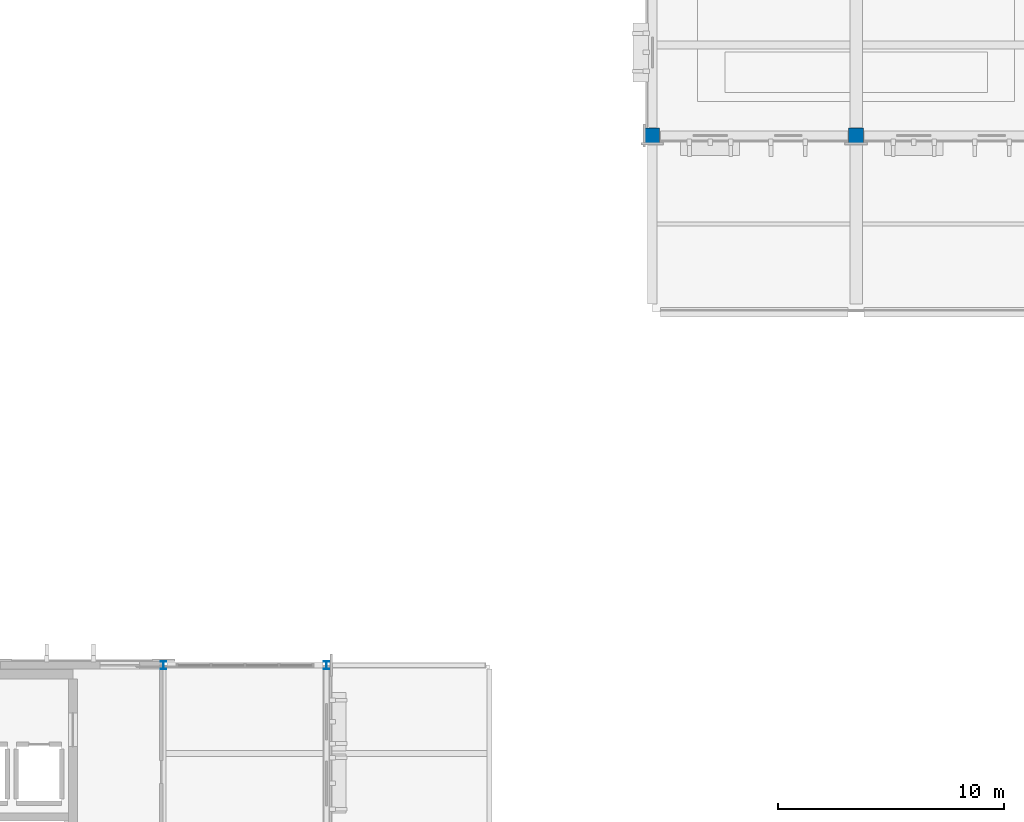
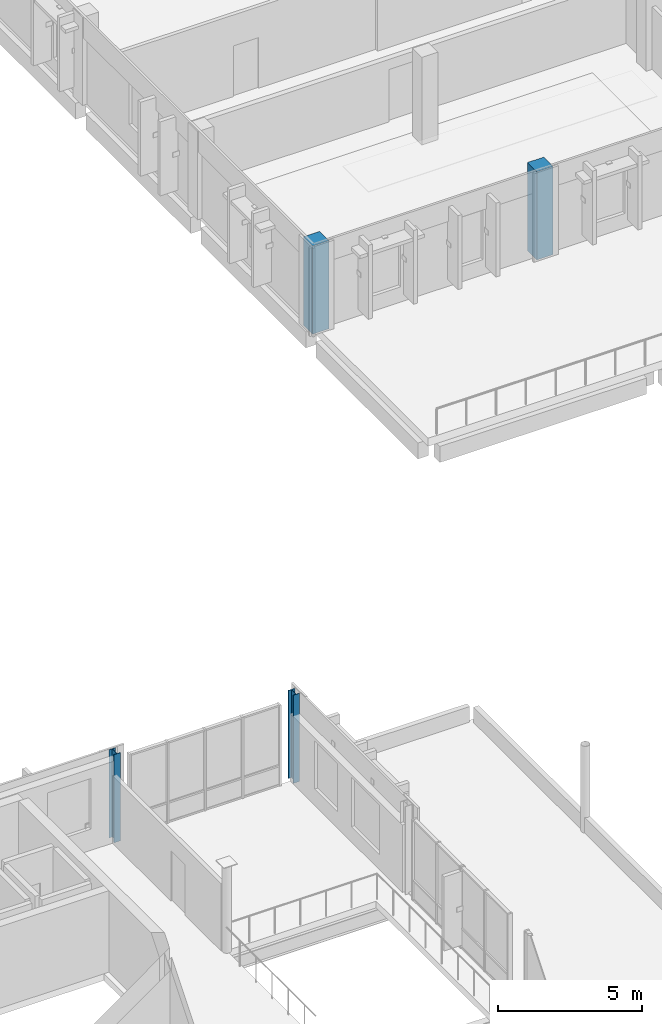
# One storey, part 2 of 23: 4 columns.
"""IFC4 building model written with IfcOpenShell, lengths in metres."""

import ifcopenshell
import ifcopenshell.guid

model = None  # the IFC model being written
_history = None  # IfcOwnerHistory: only IFC2X3 demands one
_inside = {}  # id of a spatial element -> (the spatial element, [elements in it])
_under = {}  # id of a project, library or spatial element -> (it, [spatial elements below it])
_declared = {}  # id of a project -> (the project, [libraries it declares])
_typed = {}  # id of a type object -> (the type object, [elements of that type])
_made_of = {}  # id of a material, layer set ... -> (it, [elements and type objects made of it])


def new_model(schema):
    """Start an empty IFC model of exactly this schema.

    Asked for "IFC4X3", IfcOpenShell would pick the latest addendum, in which some entities
    have other attributes; the version numbers below select the first issue.
    IFC2X3 requires an IfcOwnerHistory on every rooted entity: one is made here for all.
    """
    global model, _history
    if schema == "IFC4X3":
        model = ifcopenshell.file(schema_version=(4, 3, 0, 0))
    else:
        model = ifcopenshell.file(schema=schema)
    _inside.clear()
    _under.clear()
    _declared.clear()
    _typed.clear()
    _made_of.clear()
    _history = None
    if model.schema == "IFC2X3":
        org = make("IfcOrganization", Name="unknown")
        user = make(
            "IfcPersonAndOrganization",
            ThePerson=make("IfcPerson", FamilyName="unknown"),
            TheOrganization=org,
        )
        app = make(
            "IfcApplication",
            ApplicationDeveloper=org,
            Version="unknown",
            ApplicationFullName="unknown",
            ApplicationIdentifier="unknown",
        )
        _history = make(
            "IfcOwnerHistory",
            OwningUser=user,
            OwningApplication=app,
            ChangeAction="ADDED",
            CreationDate=0,
        )
    return model


def make(cls, **values):
    """One entity of the class cls with the attributes given. An attribute that is None is left unset."""
    return model.create_entity(
        cls, **{name: value for name, value in values.items() if value is not None}
    )


def rooted(cls, **values):
    """An entity with a GlobalId (a new one), such as an element, a storey or a relation."""
    return make(cls, GlobalId=ifcopenshell.guid.new(), OwnerHistory=_history, **values)


def si_unit(unit_type, name, prefix=None):
    """IfcSIUnit, for example si_unit("LENGTHUNIT", "METRE", prefix="MILLI")."""
    return make("IfcSIUnit", UnitType=unit_type, Prefix=prefix, Name=name)


def assignment(units):
    """IfcUnitAssignment: the units of a project."""
    return None if units is None else make("IfcUnitAssignment", Units=units)


def point(xyz):
    """IfcCartesianPoint."""
    return None if xyz is None else make("IfcCartesianPoint", Coordinates=xyz)


def direction(xyz):
    """IfcDirection."""
    return None if xyz is None else make("IfcDirection", DirectionRatios=xyz)


def frame(location, z_axis=None, x_axis=None):
    """IfcAxis2Placement3D, a coordinate frame: its origin and axes. An axis left out is left unset."""
    return make(
        "IfcAxis2Placement3D",
        Location=point(location),
        Axis=direction(z_axis),
        RefDirection=direction(x_axis),
    )


def frame_2d(location, x_axis=None):
    """IfcAxis2Placement2D, a coordinate frame in the plane: its origin and x axis."""
    return make(
        "IfcAxis2Placement2D", Location=point(location), RefDirection=direction(x_axis)
    )


def origin():
    """The frame at (0, 0, 0) with its axes left unset."""
    return frame((0.0, 0.0, 0.0))


def origin_2d():
    """The frame at (0, 0) in the plane with its x axis left unset."""
    return frame_2d((0.0, 0.0))


def place(relative_to, where):
    """IfcLocalPlacement: puts the frame where relative to a parent placement (None: the world)."""
    return make(
        "IfcLocalPlacement", PlacementRelTo=relative_to, RelativePlacement=where
    )


def context(
    kind, dimensions, precision=None, world=None, true_north=None, identifier=None
):
    """IfcGeometricRepresentationContext, for example the 3D "Model" context."""
    return make(
        "IfcGeometricRepresentationContext",
        ContextIdentifier=identifier,
        ContextType=kind,
        CoordinateSpaceDimension=dimensions,
        Precision=precision,
        WorldCoordinateSystem=world,
        TrueNorth=true_north,
    )


def subcontext(parent, identifier, kind, view, scale=None):
    """IfcGeometricRepresentationSubContext, for example "Body" below "Model"."""
    return make(
        "IfcGeometricRepresentationSubContext",
        ContextIdentifier=identifier,
        ContextType=kind,
        ParentContext=parent,
        TargetScale=scale,
        TargetView=view,
    )


def project(units=None, contexts=None):
    """IfcProject with its units and contexts."""
    return rooted(
        "IfcProject",
        Name="project",
        RepresentationContexts=contexts,
        UnitsInContext=assignment(units),
    )


def spatial(cls, under=None, at=None, **own):
    """A site, building, storey or space (cls), placed at a placement, below another one or the project."""
    s = rooted(cls, ObjectPlacement=at, **own)
    if under is not None:
        _under.setdefault(under.id(), (under, []))[1].append(s)
    return s


def profile(cls, at=None, kind="AREA", **sizes):
    """A parametric profile (cls). Its sizes go by their IFC names, for example OverallWidth=200.0."""
    return make(cls, ProfileType=kind, Position=at, **sizes)


def rectangle(**sizes):
    """IfcRectangleProfileDef."""
    return profile("IfcRectangleProfileDef", **sizes)


def i_section(**sizes):
    """IfcIShapeProfileDef."""
    return profile("IfcIShapeProfileDef", **sizes)


def extrude(swept, where, along, depth):
    """IfcExtrudedAreaSolid: the profile swept, set in the frame where, extruded along a direction by depth."""
    return make(
        "IfcExtrudedAreaSolid",
        SweptArea=swept,
        Position=where,
        ExtrudedDirection=direction(along),
        Depth=depth,
    )


def shape(context_of_items, identifier, shape_type, items):
    """IfcShapeRepresentation: the items that make up one representation, for example the "Body"."""
    return make(
        "IfcShapeRepresentation",
        ContextOfItems=context_of_items,
        RepresentationIdentifier=identifier,
        RepresentationType=shape_type,
        Items=items,
    )


def material(Name=None, Category=None):
    """IfcMaterial."""
    return make("IfcMaterial", Name=Name, Category=Category)


def material_profile(
    of_material, cross_section, Name=None, Category=None, Priority=None
):
    """IfcMaterialProfile: a cross section and its material."""
    return make(
        "IfcMaterialProfile",
        Name=Name,
        Material=of_material,
        Profile=cross_section,
        Priority=Priority,
        Category=Category,
    )


def profile_set(profiles, Name=None, composite=None):
    """IfcMaterialProfileSet."""
    return make(
        "IfcMaterialProfileSet",
        Name=Name,
        MaterialProfiles=profiles,
        CompositeProfile=composite,
    )


def made_of(thing, what):
    """Note that an element or type object is made of a material, layer set ...; save() writes the relation."""
    if what is not None:
        _made_of.setdefault(what.id(), (what, []))[1].append(thing)
    return thing


def type_object(cls, material=None, **own):
    """A type object (cls), such as IfcWallType, which elements share."""
    return made_of(rooted(cls, **own), material)


def element(
    cls,
    number,
    at=None,
    inside=None,
    cuts=None,
    type_object=None,
    material=None,
    context=None,
    identifier="Body",
    shape_type=None,
    held_by="IfcProductDefinitionShape",
    body=None,
    shapes=None,
    **own,
):
    """One element of the class cls, such as IfcWall. Its Tag is "e" and its number.

    at: its placement. inside: the storey or other place that contains it. cuts: it is an
    opening in that element (IfcRelVoidsElement). A single representation is given by context,
    identifier, shape_type and body (its items); several are given by shapes. held_by: the class
    of the entity that holds the representations. save() writes the other relations.
    """
    e = rooted(cls, Tag="e%d" % number, ObjectPlacement=at, **own)
    if body is not None:
        shapes = [shape(context, identifier, shape_type, body)]
    if shapes is not None:
        e.Representation = make(held_by, Representations=shapes)
    if inside is not None:
        _inside.setdefault(inside.id(), (inside, []))[1].append(e)
    if cuts is not None:
        rooted(
            "IfcRelVoidsElement", RelatingBuildingElement=cuts, RelatedOpeningElement=e
        )
    if type_object is not None:
        _typed.setdefault(type_object.id(), (type_object, []))[1].append(e)
    return made_of(e, material)


def aggregate(whole, parts):
    """IfcRelAggregates: a whole, such as a stair, and the parts it consists of."""
    return rooted("IfcRelAggregates", RelatingObject=whole, RelatedObjects=parts)


def save(model, path):
    """Write the relations noted so far, then the file.

    IfcRelAggregates (storeys below a building ...), IfcRelContainedInSpatialStructure (elements
    in a storey), IfcRelDefinesByType, IfcRelAssociatesMaterial and IfcRelDeclares: one each for
    every whole, place, type object, material and project.
    """
    for whole, parts in _under.values():
        aggregate(whole, parts)
    for where, things in _inside.values():
        rooted(
            "IfcRelContainedInSpatialStructure",
            RelatedElements=things,
            RelatingStructure=where,
        )
    for kind, things in _typed.values():
        rooted("IfcRelDefinesByType", RelatedObjects=things, RelatingType=kind)
    for what, things in _made_of.values():
        rooted("IfcRelAssociatesMaterial", RelatedObjects=things, RelatingMaterial=what)
    for by, libraries in _declared.values():
        rooted("IfcRelDeclares", RelatingContext=by, RelatedDefinitions=libraries)
    model.write(path)


model = new_model("IFC4")

# Units and contexts
model_context = context("Model", 3, precision=1e-05, world=origin(), true_north=direction((0.0, 1.0)))
body_context = subcontext(model_context, "Body", "Model", "MODEL_VIEW")
ifc_project = project(units=[si_unit("LENGTHUNIT", "METRE"), si_unit("AREAUNIT", "SQUARE_METRE"), si_unit("VOLUMEUNIT", "CUBIC_METRE"), si_unit("PLANEANGLEUNIT", "RADIAN"), si_unit("MASSUNIT", "GRAM", prefix="KILO")], contexts=[model_context])

# Site, building, storey
site_placement = place(None, origin())
site = spatial("IfcSite", under=ifc_project, at=site_placement, CompositionType="ELEMENT")
building_placement = place(site_placement, origin())
building = spatial("IfcBuilding", under=site, at=building_placement, Name="Vervanel Yard Central Library", CompositionType="ELEMENT")
storey_placement = place(building_placement, frame((0.0, 0.0, 16.52001953125)))
storey = spatial("IfcBuildingStorey", under=building, at=storey_placement, Name="L04", CompositionType="ELEMENT", Elevation=16.52001953125)

# Columns
ifc_material_1 = material(Name="Concrete C40/50", Category="concrete")
ifc_material_profile_1 = material_profile(ifc_material_1, rectangle(XDim=0.64990234375, YDim=0.64990234375, at=origin_2d()), Name="RC 650x650", Category="concrete")
ifc_profile_set_1 = profile_set([ifc_material_profile_1], Name="Concrete C40/50")
column_type_1 = type_object("IfcColumnType", Name="Concrete Column 650x650", PredefinedType="COLUMN", material=ifc_profile_set_1)
for number, where, z_axis, x_axis, name in (
    (1, (36.0, 90.0, 0.0), (0.0, 0.0, 1.0), (1.0, 0.0, 0.0), "L04 Concrete Column 650x650 (36.0, 90.0)"),
    (2, (45.0, 90.0, 0.0), (0.0, 0.0, 1.0), (1.0, 0.0, 0.0), "L04 Concrete Column 650x650 (45.0, 90.0)"),
):
    element("IfcColumn", number, at=place(storey_placement, frame(where, z_axis=z_axis, x_axis=x_axis)), inside=storey, type_object=column_type_1, Name=name, PredefinedType="COLUMN", context=body_context, shape_type="SweptSolid", body=[
        extrude(rectangle(XDim=0.64990234375, YDim=0.64990234375, at=origin_2d()), origin(), (0.0, 0.0, 1.0), 3.739990234375),
    ])
ifc_material_2 = material(Name="Steel ASTM A992 Grade 50", Category="steel")
ifc_material_profile_2 = material_profile(ifc_material_2, i_section(OverallWidth=0.25390625, OverallDepth=0.355712890625, WebThickness=0.010498046875, FlangeThickness=0.018310546875, at=origin_2d()), Name="W14X68", Category="steel")
ifc_profile_set_2 = profile_set([ifc_material_profile_2], Name="Steel ASTM A992 Grade 50")
column_type_2 = type_object("IfcColumnType", Name="Steel Column W14X68", PredefinedType="COLUMN", material=ifc_profile_set_2)
for number, where, z_axis, x_axis, name in (
    (3, (14.39990234375, 66.60009765625, 0.0), (0.0, 0.0, 1.0), (1.0, 0.0, 0.0), "L04 Steel Column W14X68 (14.4, 66.6)"),
    (4, (21.60009765625, 66.60009765625, 0.0), (0.0, 0.0, 1.0), (1.0, 0.0, 0.0), "L04 Steel Column W14X68 (21.6, 66.6)"),
):
    element("IfcColumn", number, at=place(storey_placement, frame(where, z_axis=z_axis, x_axis=x_axis)), inside=storey, type_object=column_type_2, Name=name, PredefinedType="COLUMN", context=body_context, shape_type="SweptSolid", body=[
        extrude(i_section(OverallWidth=0.25390625, OverallDepth=0.355712890625, WebThickness=0.010498046875, FlangeThickness=0.018310546875, at=origin_2d()), origin(), (0.0, 0.0, 1.0), 3.739990234375),
    ])

save(model, "model.ifc")
